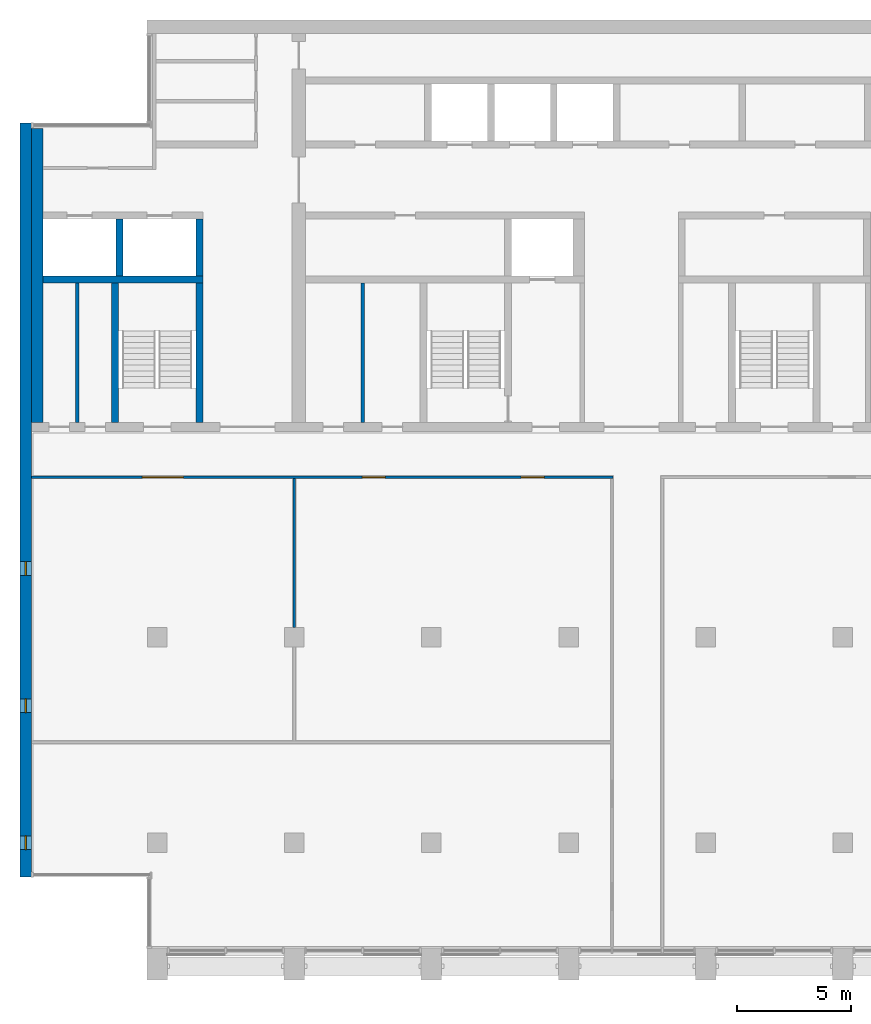
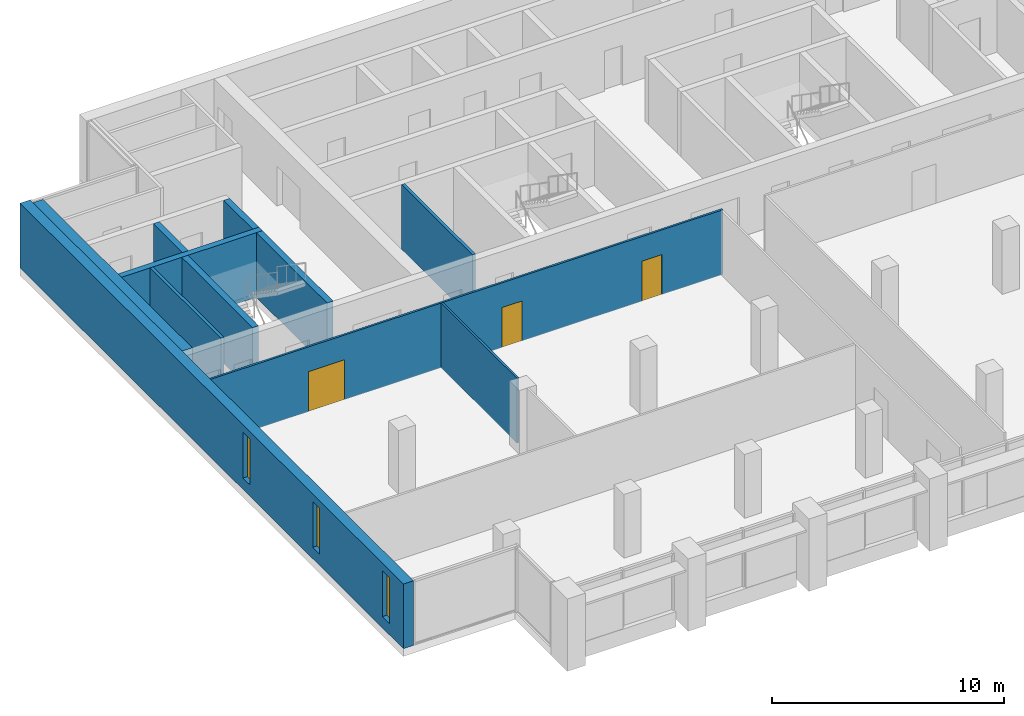
# One storey, part 7 of 14: 11 walls, 3 doors, 3 windows, 6 openings.
"""IFC4 building model written with IfcOpenShell, lengths in metres."""

from ifc_helpers import new_model, si_unit, direction, frame, frame_2d, origin, place, context, subcontext, project, spatial, rectangle, extrude, material, layer, layer_set, type_object, element, fill, save


model = new_model("IFC4")

# Units and contexts
model_context = context("Model", 3, precision=1e-05, world=origin(), true_north=direction((0.0, 1.0)))
body_context = subcontext(model_context, "Body", "Model", "MODEL_VIEW")
ifc_project = project(units=[si_unit("LENGTHUNIT", "METRE"), si_unit("AREAUNIT", "SQUARE_METRE"), si_unit("VOLUMEUNIT", "CUBIC_METRE"), si_unit("PLANEANGLEUNIT", "RADIAN"), si_unit("MASSUNIT", "GRAM", prefix="KILO")], contexts=[model_context])

# Site, building, storey
site_placement = place(None, origin())
site = spatial("IfcSite", under=ifc_project, at=site_placement, CompositionType="ELEMENT")
building_placement = place(site_placement, origin())
building = spatial("IfcBuilding", under=site, at=building_placement, Name="Calvaro Tower", CompositionType="ELEMENT")
storey_placement = place(building_placement, frame((0.0, 0.0, 250.75)))
storey = spatial("IfcBuildingStorey", under=building, at=storey_placement, Name="L63", CompositionType="ELEMENT", Elevation=250.75)

# Walls
ifc_material_1 = material(Name="Blockwork partition", Category="masonry")
ifc_layer_1 = layer(ifc_material_1, 0.14990234375)
ifc_layer_set_1 = layer_set([ifc_layer_1], Name="Blockwork partition")
wall_type_1 = type_object("IfcWallType", Name="Core partition 150 EI 60", PredefinedType="PARTITIONING", material=ifc_layer_set_1)
wall_1_placement = place(storey_placement, frame((21.0, 28.39990234375, 0.0), z_axis=(0.0, 0.0, 1.0), x_axis=(0.0, 1.0, 0.0)))
element("IfcWall", 1, at=wall_1_placement, inside=storey, type_object=wall_type_1, Name="Core partition", PredefinedType="PARTITIONING", context=body_context, shape_type="SweptSolid", body=[
    extrude(rectangle(XDim=6.10009765625, YDim=0.14990234375, at=frame_2d((3.050048828125, 0.0))), origin(), (0.0, 0.0, 1.0), 3.39990234375),
])
ifc_material_2 = material(Name="Blockwork partition", Category="masonry")
ifc_layer_2 = layer(ifc_material_2, 0.14990234375)
ifc_layer_set_2 = layer_set([ifc_layer_2], Name="Blockwork partition")
wall_type_2 = type_object("IfcWallType", Name="Core partition 150 REI 120", PredefinedType="PARTITIONING", material=ifc_layer_set_2)
wall_2_placement = place(storey_placement, frame((8.5, 28.39990234375, 0.0), z_axis=(0.0, 0.0, 1.0), x_axis=(0.0, 1.0, 0.0)))
element("IfcWall", 2, at=wall_2_placement, inside=storey, type_object=wall_type_2, Name="Core partition", PredefinedType="PARTITIONING", context=body_context, shape_type="SweptSolid", body=[
    extrude(rectangle(XDim=6.10009765625, YDim=0.14990234375, at=frame_2d((3.050048828125, 0.0))), origin(), (0.0, 0.0, 1.0), 3.39990234375),
])
ifc_material_3 = material(Name="Concrete C40/50", Category="concrete")
ifc_layer_3 = layer(ifc_material_3, 0.300048828125)
ifc_layer_set_3 = layer_set([ifc_layer_3], Name="Concrete C40/50")
wall_type_3 = type_object("IfcWallType", Name="Core wall C40/50 300", PredefinedType="SHEAR", material=ifc_layer_set_3)
for number, where, z_axis, x_axis, name in (
    (3, (10.14990234375, 28.39990234375, 0.0), (0.0, 0.0, 1.0), (0.0, 1.0, 0.0), "Core wall, stair enclosure"),
    (4, (13.85009765625, 28.39990234375, 0.0), (0.0, 0.0, 1.0), (0.0, 1.0, 0.0), "Core wall, stair enclosure"),
):
    element("IfcWall", number, at=place(storey_placement, frame(where, z_axis=z_axis, x_axis=x_axis)), inside=storey, type_object=wall_type_3, Name=name, PredefinedType="SHEAR", context=body_context, shape_type="SweptSolid", body=[
        extrude(rectangle(XDim=6.10009765625, YDim=0.300048828125, at=frame_2d((3.050048828125, 0.0))), origin(), (0.0, 0.0, 1.0), 3.39990234375),
    ])
wall_3_placement = place(storey_placement, frame((7.0, 34.64990234375, 0.0), z_axis=(0.0, 0.0, 1.0), x_axis=(1.0, 0.0, 0.0)))
element("IfcWall", 5, at=wall_3_placement, inside=storey, type_object=wall_type_3, Name="Core wall, lift shaft", PredefinedType="SHEAR", context=body_context, shape_type="SweptSolid", body=[
    extrude(rectangle(XDim=7.0, YDim=0.300048828125, at=frame_2d((3.5, 0.0))), origin(), (0.0, 0.0, 1.0), 3.39990234375),
])
for number, where, z_axis, x_axis, name in (
    (6, (13.85009765625, 34.800048828125, 0.0), (0.0, 0.0, 1.0), (0.0, 1.0, 0.0), "Core wall, lift shaft"),
    (7, (10.35009765625, 34.800048828125, 0.0), (0.0, 0.0, 1.0), (0.0, 1.0, 0.0), "Core wall, lift shaft"),
):
    element("IfcWall", number, at=place(storey_placement, frame(where, z_axis=z_axis, x_axis=x_axis)), inside=storey, type_object=wall_type_3, Name=name, PredefinedType="SHEAR", context=body_context, shape_type="SweptSolid", body=[
        extrude(rectangle(XDim=2.5, YDim=0.300048828125, at=frame_2d((1.25, 0.0))), origin(), (0.0, 0.0, 1.0), 3.39990234375),
    ])
ifc_material_4 = material(Name="Concrete C40/50", Category="concrete")
ifc_layer_4 = layer(ifc_material_4, 0.5)
ifc_layer_set_4 = layer_set([ifc_layer_4], Name="Concrete C40/50")
wall_type_4 = type_object("IfcWallType", Name="Core wall C40/50 500", PredefinedType="SHEAR", material=ifc_layer_set_4)
wall_4_placement = place(storey_placement, frame((6.75, 28.39990234375, 0.0), z_axis=(0.0, 0.0, 1.0), x_axis=(0.0, 1.0, 0.0)))
element("IfcWall", 8, at=wall_4_placement, inside=storey, type_object=wall_type_4, Name="Core wall, boundary", PredefinedType="SHEAR", context=body_context, shape_type="SweptSolid", body=[
    extrude(rectangle(XDim=12.85009765625, YDim=0.5, at=frame_2d((6.425048828125, 0.0))), origin(), (0.0, 0.0, 1.0), 3.39990234375),
])

# Wall, openings, windows
ifc_material_5 = material(Name="Concrete C40/50", Category="concrete")
ifc_layer_5 = layer(ifc_material_5, 0.5)
ifc_layer_set_5 = layer_set([ifc_layer_5], Name="Concrete C40/50")
wall_type_5 = type_object("IfcWallType", Name="End wall 500 C40/50", PredefinedType="SHEAR", material=ifc_layer_set_5)
wall_5_placement = place(storey_placement, frame((6.25, 8.5, 0.0), z_axis=(0.0, 0.0, 1.0), x_axis=(0.0, 1.0, 0.0)))
wall_5 = element("IfcWall", 9, at=wall_5_placement, inside=storey, type_object=wall_type_5, Name="End shear wall", PredefinedType="SHEAR", context=body_context, shape_type="SweptSolid", body=[
    extrude(rectangle(XDim=33.0, YDim=0.5, at=frame_2d((16.5, 0.0))), origin(), (0.0, 0.0, 1.0), 3.39990234375),
])
opening_1_placement = place(wall_5_placement, frame((1.199951171875, 0.0, 0.60009765625)))
opening_1 = element("IfcOpeningElement", 10, at=opening_1_placement, cuts=wall_5, Name="Opening WW01", PredefinedType="OPENING", context=body_context, shape_type="SweptSolid", body=[
    extrude(rectangle(XDim=0.60009765625, YDim=2.39990234375, at=frame_2d((0.300048828125, 1.199951171875))), frame((0.0, 0.260009765625, 0.0), z_axis=(0.0, -1.0, 0.0), x_axis=(1.0, 0.0, 0.0)), (0.0, 0.0, 1.0), 0.52001953125),
])
opening_2_placement = place(wall_5_placement, frame((7.199951171875, 0.0, 0.60009765625)))
opening_2 = element("IfcOpeningElement", 11, at=opening_2_placement, cuts=wall_5, Name="Opening WW02", PredefinedType="OPENING", context=body_context, shape_type="SweptSolid", body=[
    extrude(rectangle(XDim=0.60009765625, YDim=2.39990234375, at=frame_2d((0.300048828125, 1.199951171875))), frame((0.0, 0.260009765625, 0.0), z_axis=(0.0, -1.0, 0.0), x_axis=(1.0, 0.0, 0.0)), (0.0, 0.0, 1.0), 0.52001953125),
])
opening_3_placement = place(wall_5_placement, frame((13.199951171875, 0.0, 0.60009765625)))
opening_3 = element("IfcOpeningElement", 12, at=opening_3_placement, cuts=wall_5, Name="Opening WW03", PredefinedType="OPENING", context=body_context, shape_type="SweptSolid", body=[
    extrude(rectangle(XDim=0.60009765625, YDim=2.39990234375, at=frame_2d((0.300048828125, 1.199951171875))), frame((0.0, 0.260009765625, 0.0), z_axis=(0.0, -1.0, 0.0), x_axis=(1.0, 0.0, 0.0)), (0.0, 0.0, 1.0), 0.52001953125),
])
ifc_material_6 = material(Name="Glass", Category="glass")
window_type = type_object("IfcWindowType", Name="Slit window 600 x 2400", PartitioningType="SINGLE_PANEL", PredefinedType="WINDOW", material=ifc_material_6)
window_1_placement = place(opening_1_placement, origin())
window_1 = element("IfcWindow", 13, at=window_1_placement, inside=storey, type_object=window_type, Name="Window WW01", OverallHeight=2.39990234375, OverallWidth=0.60009765625, PartitioningType="SINGLE_PANEL", PredefinedType="WINDOW", context=body_context, shape_type="SweptSolid", body=[
    extrude(rectangle(XDim=0.60009765625, YDim=2.39990234375, at=frame_2d((0.300048828125, 1.199951171875))), frame((0.0, 0.030029296875, 0.0), z_axis=(0.0, -1.0, 0.0), x_axis=(1.0, 0.0, 0.0)), (0.0, 0.0, 1.0), 0.06005859375),
])
fill(opening_1, window_1)
window_2_placement = place(opening_2_placement, origin())
window_2 = element("IfcWindow", 14, at=window_2_placement, inside=storey, type_object=window_type, Name="Window WW02", OverallHeight=2.39990234375, OverallWidth=0.60009765625, PartitioningType="SINGLE_PANEL", PredefinedType="WINDOW", context=body_context, shape_type="SweptSolid", body=[
    extrude(rectangle(XDim=0.60009765625, YDim=2.39990234375, at=frame_2d((0.300048828125, 1.199951171875))), frame((0.0, 0.030029296875, 0.0), z_axis=(0.0, -1.0, 0.0), x_axis=(1.0, 0.0, 0.0)), (0.0, 0.0, 1.0), 0.06005859375),
])
fill(opening_2, window_2)
window_3_placement = place(opening_3_placement, origin())
window_3 = element("IfcWindow", 15, at=window_3_placement, inside=storey, type_object=window_type, Name="Window WW03", OverallHeight=2.39990234375, OverallWidth=0.60009765625, PartitioningType="SINGLE_PANEL", PredefinedType="WINDOW", context=body_context, shape_type="SweptSolid", body=[
    extrude(rectangle(XDim=0.60009765625, YDim=2.39990234375, at=frame_2d((0.300048828125, 1.199951171875))), frame((0.0, 0.030029296875, 0.0), z_axis=(0.0, -1.0, 0.0), x_axis=(1.0, 0.0, 0.0)), (0.0, 0.0, 1.0), 0.06005859375),
])
fill(opening_3, window_3)

# Wall, openings, doors
ifc_material_7 = material(Name="Plasterboard on steel studs", Category="steel")
ifc_layer_6 = layer(ifc_material_7, 0.10009765625)
ifc_layer_set_6 = layer_set([ifc_layer_6], Name="Plasterboard on steel studs")
wall_type_6 = type_object("IfcWallType", Name="Partition 100 REI 120", PredefinedType="PARTITIONING", material=ifc_layer_set_6)
wall_6_placement = place(storey_placement, frame((6.5, 26.0, 0.0), z_axis=(0.0, 0.0, 1.0), x_axis=(1.0, 0.0, 0.0)))
wall_6 = element("IfcWall", 16, at=wall_6_placement, inside=storey, type_object=wall_type_6, Name="Partition T36.W002", PredefinedType="PARTITIONING", context=body_context, shape_type="SweptSolid", body=[
    extrude(rectangle(XDim=25.449951171875, YDim=0.10009765625, at=frame_2d((12.72509765625, 0.0))), origin(), (0.0, 0.0, 1.0), 3.39990234375),
])
opening_4_placement = place(wall_6_placement, frame((4.85009765625, 0.0, 0.0)))
opening_4 = element("IfcOpeningElement", 17, at=opening_4_placement, cuts=wall_6, Name="Opening T36.005", PredefinedType="OPENING", context=body_context, shape_type="SweptSolid", body=[
    extrude(rectangle(XDim=1.800048828125, YDim=2.10009765625, at=frame_2d((0.89990234375, 1.050048828125))), frame((0.0, 0.06005859375, 0.0), z_axis=(0.0, -1.0, 0.0), x_axis=(1.0, 0.0, 0.0)), (0.0, 0.0, 1.0), 0.1201171875),
])
opening_5_placement = place(wall_6_placement, frame((14.47509765625, 0.0, 0.0)))
opening_5 = element("IfcOpeningElement", 18, at=opening_5_placement, cuts=wall_6, Name="Opening T36.006", PredefinedType="OPENING", context=body_context, shape_type="SweptSolid", body=[
    extrude(rectangle(XDim=1.0, YDim=2.10009765625, at=frame_2d((0.5, 1.050048828125))), frame((0.0, 0.06005859375, 0.0), z_axis=(0.0, -1.0, 0.0), x_axis=(1.0, 0.0, 0.0)), (0.0, 0.0, 1.0), 0.1201171875),
])
opening_6_placement = place(wall_6_placement, frame((21.425048828125, 0.0, 0.0)))
opening_6 = element("IfcOpeningElement", 19, at=opening_6_placement, cuts=wall_6, Name="Opening T36.007", PredefinedType="OPENING", context=body_context, shape_type="SweptSolid", body=[
    extrude(rectangle(XDim=1.0, YDim=2.10009765625, at=frame_2d((0.5, 1.050048828125))), frame((0.0, 0.06005859375, 0.0), z_axis=(0.0, -1.0, 0.0), x_axis=(1.0, 0.0, 0.0)), (0.0, 0.0, 1.0), 0.1201171875),
])
ifc_material_8 = material(Name="Timber", Category="wood")
door_type_1 = type_object("IfcDoorType", Name="Internal double door 1800 x 2100", OperationType="DOUBLE_DOOR_SINGLE_SWING", PredefinedType="DOOR", material=ifc_material_8)
door_1_placement = place(opening_4_placement, origin())
door_1 = element("IfcDoor", 20, at=door_1_placement, inside=storey, type_object=door_type_1, Name="Door T36.005", OperationType="DOUBLE_DOOR_SINGLE_SWING", OverallHeight=2.10009765625, OverallWidth=1.800048828125, PredefinedType="DOOR", context=body_context, shape_type="SweptSolid", body=[
    extrude(rectangle(XDim=1.800048828125, YDim=2.10009765625, at=frame_2d((0.89990234375, 1.050048828125))), frame((0.0, 0.02490234375, 0.0), z_axis=(0.0, -1.0, 0.0), x_axis=(1.0, 0.0, 0.0)), (0.0, 0.0, 1.0), 0.050048828125),
])
fill(opening_4, door_1)
ifc_material_9 = material(Name="Timber", Category="wood")
door_type_2 = type_object("IfcDoorType", Name="Internal single door 1000 x 2100 FD60", OperationType="SINGLE_SWING_LEFT", PredefinedType="DOOR", material=ifc_material_9)
door_2_placement = place(opening_5_placement, origin())
door_2 = element("IfcDoor", 21, at=door_2_placement, inside=storey, type_object=door_type_2, Name="Door T36.006", OperationType="SINGLE_SWING_RIGHT", OverallHeight=2.10009765625, OverallWidth=1.0, PredefinedType="DOOR", context=body_context, shape_type="SweptSolid", body=[
    extrude(rectangle(XDim=1.0, YDim=2.10009765625, at=frame_2d((0.5, 1.050048828125))), frame((0.0, 0.02490234375, 0.0), z_axis=(0.0, -1.0, 0.0), x_axis=(1.0, 0.0, 0.0)), (0.0, 0.0, 1.0), 0.050048828125),
])
fill(opening_5, door_2)
door_3_placement = place(opening_6_placement, origin())
door_3 = element("IfcDoor", 22, at=door_3_placement, inside=storey, type_object=door_type_2, Name="Door T36.007", OperationType="SINGLE_SWING_RIGHT", OverallHeight=2.10009765625, OverallWidth=1.0, PredefinedType="DOOR", context=body_context, shape_type="SweptSolid", body=[
    extrude(rectangle(XDim=1.0, YDim=2.10009765625, at=frame_2d((0.5, 1.050048828125))), frame((0.0, 0.02490234375, 0.0), z_axis=(0.0, -1.0, 0.0), x_axis=(1.0, 0.0, 0.0)), (0.0, 0.0, 1.0), 0.050048828125),
])
fill(opening_6, door_3)

# Wall
wall_7_placement = place(storey_placement, frame((18.0, 19.425048828125, 0.0), z_axis=(0.0, 0.0, 1.0), x_axis=(0.0, 1.0, 0.0)))
element("IfcWall", 23, at=wall_7_placement, inside=storey, type_object=wall_type_6, Name="Partition T36.W005", PredefinedType="PARTITIONING", context=body_context, shape_type="SweptSolid", body=[
    extrude(rectangle(XDim=6.52490234375, YDim=0.10009765625, at=frame_2d((3.262451171875, 0.0))), origin(), (0.0, 0.0, 1.0), 3.39990234375),
])

save(model, "model.ifc")
